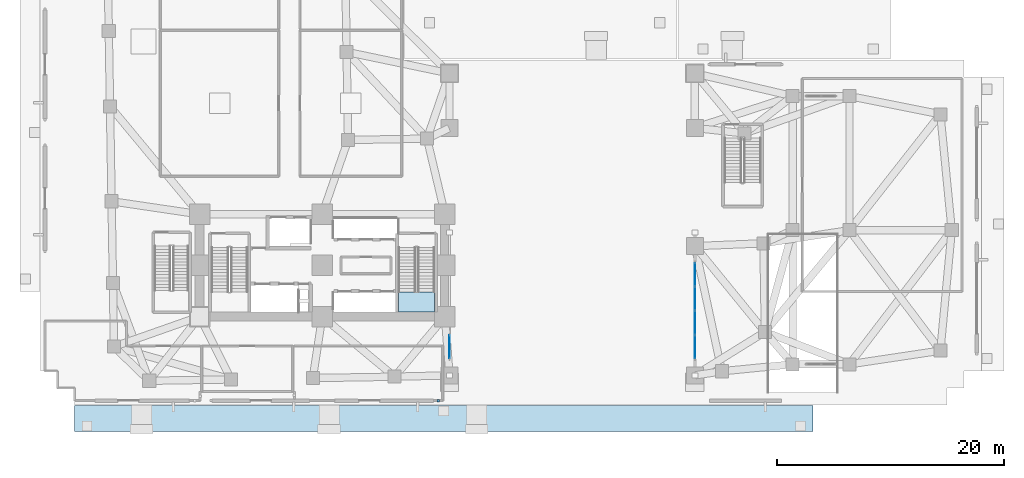
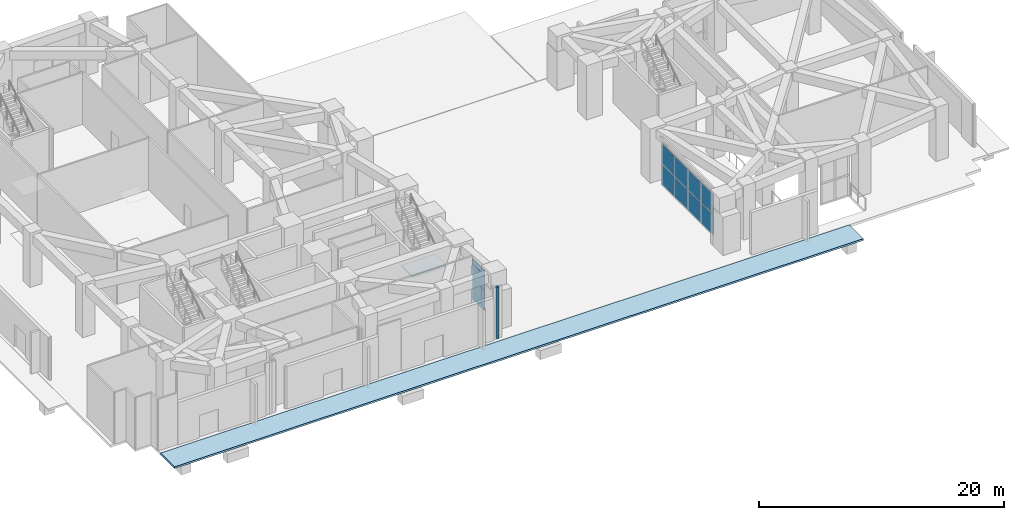
# One storey, part 6 of 19: 11 plates, 2 slabs, 3 elements without a shape of their own.
"""IFC4 building model written with IfcOpenShell, lengths in metres."""

from ifc_helpers import new_model, si_unit, direction, frame, origin, origin_2d, place, context, subcontext, project, spatial, polyline, rectangle, outline, extrude, material, layer, layer_set, type_object, element, aggregate, save


model = new_model("IFC4")

# Units and contexts
model_context = context("Model", 3, precision=1e-05, world=origin(), true_north=direction((0.0, 1.0)))
body_context = subcontext(model_context, "Body", "Model", "MODEL_VIEW")
ifc_project = project(units=[si_unit("LENGTHUNIT", "METRE"), si_unit("AREAUNIT", "SQUARE_METRE"), si_unit("VOLUMEUNIT", "CUBIC_METRE"), si_unit("PLANEANGLEUNIT", "RADIAN"), si_unit("MASSUNIT", "GRAM", prefix="KILO")], contexts=[model_context])

# Site, building, storey
site_placement = place(None, origin())
site = spatial("IfcSite", under=ifc_project, at=site_placement, CompositionType="ELEMENT")
building_placement = place(site_placement, origin())
building = spatial("IfcBuilding", under=site, at=building_placement, Name="Gaonmaruhae Medical Tower", CompositionType="ELEMENT")
storey_placement = place(building_placement, origin())
storey = spatial("IfcBuildingStorey", under=building, at=storey_placement, Name="L00", CompositionType="ELEMENT", Elevation=0.0)

# Curtain wall, plates
ifc_material_1 = material(Name="Anodised aluminium and Low-E double glazing", Category="aluminium")
curtain_wall_type = type_object("IfcCurtainWallType", Name="CW-S1 Portal Arch Concourse Curtain Wall", PredefinedType="NOTDEFINED", material=ifc_material_1)
curtain_wall_1_placement = place(storey_placement, origin())
curtain_wall_1 = element("IfcCurtainWall", 1, at=curtain_wall_1_placement, inside=storey, type_object=curtain_wall_type, Name="L00 Curtain Wall CW-L00-S1W", PredefinedType="NOTDEFINED")
ifc_material_2 = material(Name="Low-E double solar glass", Category="glass")
ifc_layer_1 = layer(ifc_material_2, 0.028076171875)
ifc_layer_set_1 = layer_set([ifc_layer_1], Name="Low-E double solar glass")
plate_type_1 = type_object("IfcPlateType", Name="CWP-V1 Low-E Double Vision Glazing Panel", PredefinedType="CURTAIN_PANEL", material=ifc_layer_set_1)
plate_1_placement = place(storey_placement, frame((36.0, 5.1318359375, 0.074951171875), z_axis=(0.0, 0.0, 1.0), x_axis=(0.0, 1.0, 0.0)))
plate_1 = element("IfcPlate", 2, at=plate_1_placement, type_object=plate_type_1, Name="CW-S1 panel 1.1", PredefinedType="CURTAIN_PANEL", context=body_context, shape_type="SweptSolid", body=[
    extrude(rectangle(XDim=2.020263671875, YDim=0.028076171875, at=origin_2d()), origin(), (0.0, 0.0, 1.0), 2.00244140625),
])
plate_2_placement = place(storey_placement, frame((36.0, 5.1318359375, 2.152587890625), z_axis=(0.0, 0.0, 1.0), x_axis=(0.0, 1.0, 0.0)))
plate_2 = element("IfcPlate", 3, at=plate_2_placement, type_object=plate_type_1, Name="CW-S1 panel 1.2", PredefinedType="CURTAIN_PANEL", context=body_context, shape_type="SweptSolid", body=[
    extrude(rectangle(XDim=2.020263671875, YDim=0.028076171875, at=origin_2d()), origin(), (0.0, 0.0, 1.0), 2.00244140625),
])
aggregate(curtain_wall_1, [plate_1, plate_2])

curtain_wall_2_placement = place(storey_placement, origin())
curtain_wall_2 = element("IfcCurtainWall", 4, at=curtain_wall_2_placement, inside=storey, type_object=curtain_wall_type, Name="L00 Curtain Wall CW-L00-S1E", PredefinedType="NOTDEFINED")
plate_3_placement = place(storey_placement, frame((57.60009765625, 5.132080078125, 0.074951171875), z_axis=(0.0, 0.0, 1.0), x_axis=(0.0, 1.0, 0.0)))
plate_3 = element("IfcPlate", 5, at=plate_3_placement, type_object=plate_type_1, Name="CW-S1 panel 1.1", PredefinedType="CURTAIN_PANEL", context=body_context, shape_type="SweptSolid", body=[
    extrude(rectangle(XDim=2.020751953125, YDim=0.028076171875, at=origin_2d()), origin(), (0.0, 0.0, 1.0), 2.00244140625),
])
plate_4_placement = place(storey_placement, frame((57.60009765625, 5.132080078125, 2.152587890625), z_axis=(0.0, 0.0, 1.0), x_axis=(0.0, 1.0, 0.0)))
plate_4 = element("IfcPlate", 6, at=plate_4_placement, type_object=plate_type_1, Name="CW-S1 panel 1.2", PredefinedType="CURTAIN_PANEL", context=body_context, shape_type="SweptSolid", body=[
    extrude(rectangle(XDim=2.020751953125, YDim=0.028076171875, at=origin_2d()), origin(), (0.0, 0.0, 1.0), 2.00244140625),
])
plate_5_placement = place(storey_placement, frame((57.60009765625, 7.246337890625, 0.074951171875), z_axis=(0.0, 0.0, 1.0), x_axis=(0.0, 1.0, 0.0)))
plate_5 = element("IfcPlate", 7, at=plate_5_placement, type_object=plate_type_1, Name="CW-S1 panel 2.1", PredefinedType="CURTAIN_PANEL", context=body_context, shape_type="SweptSolid", body=[
    extrude(rectangle(XDim=2.05810546875, YDim=0.028076171875, at=origin_2d()), origin(), (0.0, 0.0, 1.0), 2.00244140625),
])
plate_6_placement = place(storey_placement, frame((57.60009765625, 7.246337890625, 2.152587890625), z_axis=(0.0, 0.0, 1.0), x_axis=(0.0, 1.0, 0.0)))
plate_6 = element("IfcPlate", 8, at=plate_6_placement, type_object=plate_type_1, Name="CW-S1 panel 2.2", PredefinedType="CURTAIN_PANEL", context=body_context, shape_type="SweptSolid", body=[
    extrude(rectangle(XDim=2.05810546875, YDim=0.028076171875, at=origin_2d()), origin(), (0.0, 0.0, 1.0), 2.00244140625),
])
plate_7_placement = place(storey_placement, frame((57.60009765625, 9.379638671875, 0.074951171875), z_axis=(0.0, 0.0, 1.0), x_axis=(0.0, 1.0, 0.0)))
plate_7 = element("IfcPlate", 9, at=plate_7_placement, type_object=plate_type_1, Name="CW-S1 panel 3.1", PredefinedType="CURTAIN_PANEL", context=body_context, shape_type="SweptSolid", body=[
    extrude(rectangle(XDim=2.05810546875, YDim=0.028076171875, at=origin_2d()), origin(), (0.0, 0.0, 1.0), 2.00244140625),
])
plate_8_placement = place(storey_placement, frame((57.60009765625, 9.379638671875, 2.152587890625), z_axis=(0.0, 0.0, 1.0), x_axis=(0.0, 1.0, 0.0)))
plate_8 = element("IfcPlate", 10, at=plate_8_placement, type_object=plate_type_1, Name="CW-S1 panel 3.2", PredefinedType="CURTAIN_PANEL", context=body_context, shape_type="SweptSolid", body=[
    extrude(rectangle(XDim=2.05810546875, YDim=0.028076171875, at=origin_2d()), origin(), (0.0, 0.0, 1.0), 2.00244140625),
])
plate_9_placement = place(storey_placement, frame((57.60009765625, 11.493896484375, 0.074951171875), z_axis=(0.0, 0.0, 1.0), x_axis=(0.0, 1.0, 0.0)))
plate_9 = element("IfcPlate", 11, at=plate_9_placement, type_object=plate_type_1, Name="CW-S1 panel 4.1", PredefinedType="CURTAIN_PANEL", context=body_context, shape_type="SweptSolid", body=[
    extrude(rectangle(XDim=2.020751953125, YDim=0.028076171875, at=origin_2d()), origin(), (0.0, 0.0, 1.0), 2.00244140625),
])
plate_10_placement = place(storey_placement, frame((57.60009765625, 11.493896484375, 2.152587890625), z_axis=(0.0, 0.0, 1.0), x_axis=(0.0, 1.0, 0.0)))
plate_10 = element("IfcPlate", 12, at=plate_10_placement, type_object=plate_type_1, Name="CW-S1 panel 4.2", PredefinedType="CURTAIN_PANEL", context=body_context, shape_type="SweptSolid", body=[
    extrude(rectangle(XDim=2.020751953125, YDim=0.028076171875, at=origin_2d()), origin(), (0.0, 0.0, 1.0), 2.00244140625),
])
aggregate(curtain_wall_2, [plate_3, plate_4, plate_5, plate_6, plate_7, plate_8, plate_9, plate_10])

# Plate
ifc_material_3 = material(Name="Anodised aluminium 6063-T6", Category="aluminium")
ifc_layer_2 = layer(ifc_material_3, 0.011962890625)
ifc_layer_set_2 = layer_set([ifc_layer_2], Name="Anodised aluminium 6063-T6")
plate_type_2 = type_object("IfcPlateType", Name="PP-01 Interior Partition Corner Stiffener Plate", PredefinedType="SHEET", material=ifc_layer_set_2)
plate_11_placement = place(storey_placement, frame((35.0, 0.39990234375, 0.0), z_axis=(0.0, 0.0, 1.0), x_axis=(-1.0, 0.0, 0.0)))
element("IfcPlate", 13, at=plate_11_placement, inside=storey, type_object=plate_type_2, Name="L00 Partition Corner Stiffener Plate PLT-L00-JGP-PW020", PredefinedType="SHEET", context=body_context, shape_type="SweptSolid", body=[
    extrude(rectangle(XDim=0.219970703125, YDim=0.219970703125, at=origin_2d()), origin(), (0.0, 0.0, 1.0), 5.14990234375),
])

# Slab
ifc_material_4 = material(Name="Honed Busan granite paving", Category="masonry")
ifc_layer_3 = layer(ifc_material_4, 0.179931640625)
ifc_layer_set_3 = layer_set([ifc_layer_3], Name="Honed Busan granite paving")
slab_type_1 = type_object("IfcSlabType", Name="PV-180 Exterior Granite Plaza Paving Slab", PredefinedType="USERDEFINED", material=ifc_layer_set_3)
slab_1_placement = place(storey_placement, frame((0.0, 0.0, -0.179931640625)))
element("IfcSlab", 14, at=slab_1_placement, inside=storey, type_object=slab_type_1, Name="L00 South Emergency & Portal Forecourt Paving", ObjectType="PAVING", PredefinedType="USERDEFINED", context=body_context, shape_type="SweptSolid", body=[
    extrude(outline(polyline([(68.0, -2.300048828125), (3.0, -2.300048828125), (3.0, -0.02001953125), (68.0, -0.02001953125), (68.0, -2.300048828125)])), origin(), (0.0, 0.0, 1.0), 0.179931640625),
])

# Stair, slab
ifc_material_5 = material(Name="Concrete C40/50", Category="concrete")
stair_type = type_object("IfcStairType", Name="ST-T1 Primary Core Escape Dogleg Stair", PredefinedType="TWO_QUARTER_TURN_STAIR", material=ifc_material_5)
stair_placement = place(storey_placement, origin())
stair = element("IfcStair", 15, at=stair_placement, inside=storey, type_object=stair_type, Name="L00 Protected Escape Stair ST-02", PredefinedType="TWO_QUARTER_TURN_STAIR")
ifc_layer_4 = layer(ifc_material_5, 0.199951171875)
ifc_layer_set_4 = layer_set([ifc_layer_4], Name="Concrete C40/50")
slab_type_2 = type_object("IfcSlabType", Name="SL-200 Stair & Ramp Intermediate Concrete Landing", PredefinedType="LANDING", material=ifc_layer_set_4)
slab_2_placement = place(storey_placement, frame((0.0, 0.0, 2.5)))
slab_2 = element("IfcSlab", 16, at=slab_2_placement, type_object=slab_type_2, Name="ST-02 landing 1", PredefinedType="LANDING", context=body_context, shape_type="SweptSolid", body=[
    extrude(outline(polyline([(31.5, 9.97998046875), (31.5, 8.2041015625), (34.699951171875, 8.2041015625), (34.699951171875, 9.97998046875), (31.5, 9.97998046875)])), origin(), (0.0, 0.0, 1.0), 0.199951171875),
])
aggregate(stair, [slab_2])

save(model, "model.ifc")
